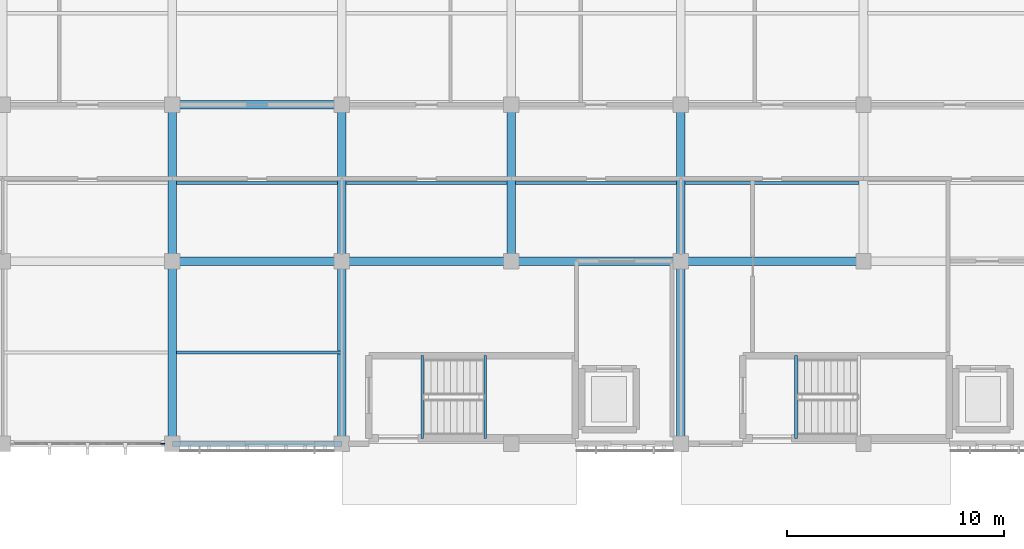
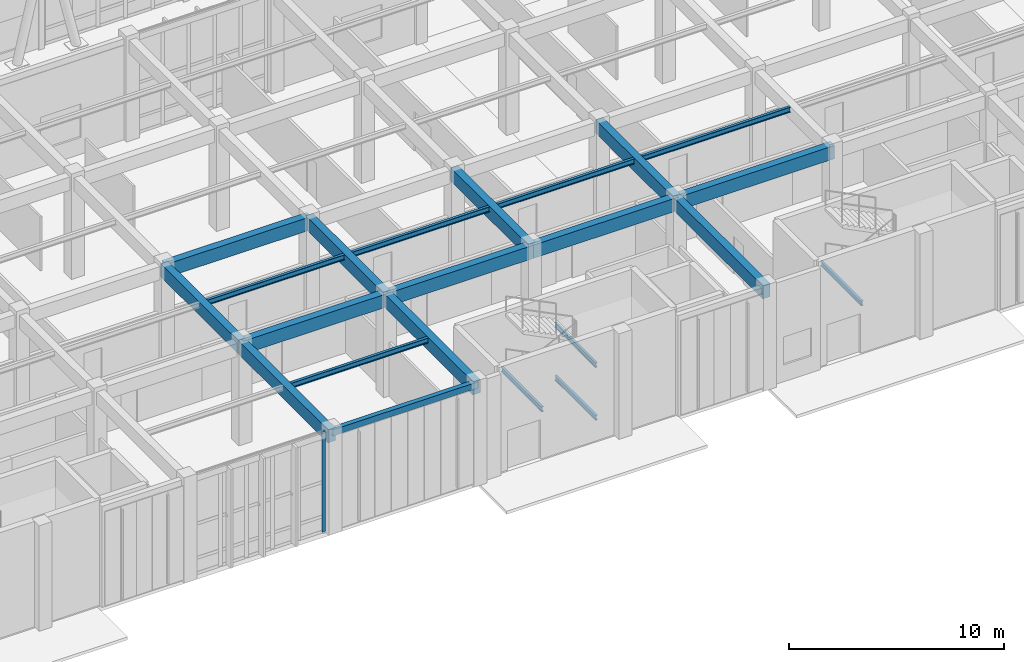
# One storey, part 17 of 110: 22 beams, 1 member, 1 element without a shape of its own.
"""IFC4 building model written with IfcOpenShell, lengths in metres."""

import ifcopenshell
import ifcopenshell.guid

model = None  # the IFC model being written
_history = None  # IfcOwnerHistory: only IFC2X3 demands one
_inside = {}  # id of a spatial element -> (the spatial element, [elements in it])
_under = {}  # id of a project, library or spatial element -> (it, [spatial elements below it])
_declared = {}  # id of a project -> (the project, [libraries it declares])
_typed = {}  # id of a type object -> (the type object, [elements of that type])
_made_of = {}  # id of a material, layer set ... -> (it, [elements and type objects made of it])


def new_model(schema):
    """Start an empty IFC model of exactly this schema.

    Asked for "IFC4X3", IfcOpenShell would pick the latest addendum, in which some entities
    have other attributes; the version numbers below select the first issue.
    IFC2X3 requires an IfcOwnerHistory on every rooted entity: one is made here for all.
    """
    global model, _history
    if schema == "IFC4X3":
        model = ifcopenshell.file(schema_version=(4, 3, 0, 0))
    else:
        model = ifcopenshell.file(schema=schema)
    _inside.clear()
    _under.clear()
    _declared.clear()
    _typed.clear()
    _made_of.clear()
    _history = None
    if model.schema == "IFC2X3":
        org = make("IfcOrganization", Name="unknown")
        user = make(
            "IfcPersonAndOrganization",
            ThePerson=make("IfcPerson", FamilyName="unknown"),
            TheOrganization=org,
        )
        app = make(
            "IfcApplication",
            ApplicationDeveloper=org,
            Version="unknown",
            ApplicationFullName="unknown",
            ApplicationIdentifier="unknown",
        )
        _history = make(
            "IfcOwnerHistory",
            OwningUser=user,
            OwningApplication=app,
            ChangeAction="ADDED",
            CreationDate=0,
        )
    return model


def make(cls, **values):
    """One entity of the class cls with the attributes given. An attribute that is None is left unset."""
    return model.create_entity(
        cls, **{name: value for name, value in values.items() if value is not None}
    )


def rooted(cls, **values):
    """An entity with a GlobalId (a new one), such as an element, a storey or a relation."""
    return make(cls, GlobalId=ifcopenshell.guid.new(), OwnerHistory=_history, **values)


def si_unit(unit_type, name, prefix=None):
    """IfcSIUnit, for example si_unit("LENGTHUNIT", "METRE", prefix="MILLI")."""
    return make("IfcSIUnit", UnitType=unit_type, Prefix=prefix, Name=name)


def assignment(units):
    """IfcUnitAssignment: the units of a project."""
    return None if units is None else make("IfcUnitAssignment", Units=units)


def point(xyz):
    """IfcCartesianPoint."""
    return None if xyz is None else make("IfcCartesianPoint", Coordinates=xyz)


def direction(xyz):
    """IfcDirection."""
    return None if xyz is None else make("IfcDirection", DirectionRatios=xyz)


def frame(location, z_axis=None, x_axis=None):
    """IfcAxis2Placement3D, a coordinate frame: its origin and axes. An axis left out is left unset."""
    return make(
        "IfcAxis2Placement3D",
        Location=point(location),
        Axis=direction(z_axis),
        RefDirection=direction(x_axis),
    )


def frame_2d(location, x_axis=None):
    """IfcAxis2Placement2D, a coordinate frame in the plane: its origin and x axis."""
    return make(
        "IfcAxis2Placement2D", Location=point(location), RefDirection=direction(x_axis)
    )


def origin():
    """The frame at (0, 0, 0) with its axes left unset."""
    return frame((0.0, 0.0, 0.0))


def origin_2d():
    """The frame at (0, 0) in the plane with its x axis left unset."""
    return frame_2d((0.0, 0.0))


def place(relative_to, where):
    """IfcLocalPlacement: puts the frame where relative to a parent placement (None: the world)."""
    return make(
        "IfcLocalPlacement", PlacementRelTo=relative_to, RelativePlacement=where
    )


def context(
    kind, dimensions, precision=None, world=None, true_north=None, identifier=None
):
    """IfcGeometricRepresentationContext, for example the 3D "Model" context."""
    return make(
        "IfcGeometricRepresentationContext",
        ContextIdentifier=identifier,
        ContextType=kind,
        CoordinateSpaceDimension=dimensions,
        Precision=precision,
        WorldCoordinateSystem=world,
        TrueNorth=true_north,
    )


def subcontext(parent, identifier, kind, view, scale=None):
    """IfcGeometricRepresentationSubContext, for example "Body" below "Model"."""
    return make(
        "IfcGeometricRepresentationSubContext",
        ContextIdentifier=identifier,
        ContextType=kind,
        ParentContext=parent,
        TargetScale=scale,
        TargetView=view,
    )


def project(units=None, contexts=None):
    """IfcProject with its units and contexts."""
    return rooted(
        "IfcProject",
        Name="project",
        RepresentationContexts=contexts,
        UnitsInContext=assignment(units),
    )


def spatial(cls, under=None, at=None, **own):
    """A site, building, storey or space (cls), placed at a placement, below another one or the project."""
    s = rooted(cls, ObjectPlacement=at, **own)
    if under is not None:
        _under.setdefault(under.id(), (under, []))[1].append(s)
    return s


def profile(cls, at=None, kind="AREA", **sizes):
    """A parametric profile (cls). Its sizes go by their IFC names, for example OverallWidth=200.0."""
    return make(cls, ProfileType=kind, Position=at, **sizes)


def rectangle(**sizes):
    """IfcRectangleProfileDef."""
    return profile("IfcRectangleProfileDef", **sizes)


def hollow_rectangle(**sizes):
    """IfcRectangleHollowProfileDef."""
    return profile("IfcRectangleHollowProfileDef", **sizes)


def i_section(**sizes):
    """IfcIShapeProfileDef."""
    return profile("IfcIShapeProfileDef", **sizes)


def extrude(swept, where, along, depth):
    """IfcExtrudedAreaSolid: the profile swept, set in the frame where, extruded along a direction by depth."""
    return make(
        "IfcExtrudedAreaSolid",
        SweptArea=swept,
        Position=where,
        ExtrudedDirection=direction(along),
        Depth=depth,
    )


def shape(context_of_items, identifier, shape_type, items):
    """IfcShapeRepresentation: the items that make up one representation, for example the "Body"."""
    return make(
        "IfcShapeRepresentation",
        ContextOfItems=context_of_items,
        RepresentationIdentifier=identifier,
        RepresentationType=shape_type,
        Items=items,
    )


def material(Name=None, Category=None):
    """IfcMaterial."""
    return make("IfcMaterial", Name=Name, Category=Category)


def material_profile(
    of_material, cross_section, Name=None, Category=None, Priority=None
):
    """IfcMaterialProfile: a cross section and its material."""
    return make(
        "IfcMaterialProfile",
        Name=Name,
        Material=of_material,
        Profile=cross_section,
        Priority=Priority,
        Category=Category,
    )


def profile_set(profiles, Name=None, composite=None):
    """IfcMaterialProfileSet."""
    return make(
        "IfcMaterialProfileSet",
        Name=Name,
        MaterialProfiles=profiles,
        CompositeProfile=composite,
    )


def made_of(thing, what):
    """Note that an element or type object is made of a material, layer set ...; save() writes the relation."""
    if what is not None:
        _made_of.setdefault(what.id(), (what, []))[1].append(thing)
    return thing


def type_object(cls, material=None, **own):
    """A type object (cls), such as IfcWallType, which elements share."""
    return made_of(rooted(cls, **own), material)


def element(
    cls,
    number,
    at=None,
    inside=None,
    cuts=None,
    type_object=None,
    material=None,
    context=None,
    identifier="Body",
    shape_type=None,
    held_by="IfcProductDefinitionShape",
    body=None,
    shapes=None,
    **own,
):
    """One element of the class cls, such as IfcWall. Its Tag is "e" and its number.

    at: its placement. inside: the storey or other place that contains it. cuts: it is an
    opening in that element (IfcRelVoidsElement). A single representation is given by context,
    identifier, shape_type and body (its items); several are given by shapes. held_by: the class
    of the entity that holds the representations. save() writes the other relations.
    """
    e = rooted(cls, Tag="e%d" % number, ObjectPlacement=at, **own)
    if body is not None:
        shapes = [shape(context, identifier, shape_type, body)]
    if shapes is not None:
        e.Representation = make(held_by, Representations=shapes)
    if inside is not None:
        _inside.setdefault(inside.id(), (inside, []))[1].append(e)
    if cuts is not None:
        rooted(
            "IfcRelVoidsElement", RelatingBuildingElement=cuts, RelatedOpeningElement=e
        )
    if type_object is not None:
        _typed.setdefault(type_object.id(), (type_object, []))[1].append(e)
    return made_of(e, material)


def aggregate(whole, parts):
    """IfcRelAggregates: a whole, such as a stair, and the parts it consists of."""
    return rooted("IfcRelAggregates", RelatingObject=whole, RelatedObjects=parts)


def save(model, path):
    """Write the relations noted so far, then the file.

    IfcRelAggregates (storeys below a building ...), IfcRelContainedInSpatialStructure (elements
    in a storey), IfcRelDefinesByType, IfcRelAssociatesMaterial and IfcRelDeclares: one each for
    every whole, place, type object, material and project.
    """
    for whole, parts in _under.values():
        aggregate(whole, parts)
    for where, things in _inside.values():
        rooted(
            "IfcRelContainedInSpatialStructure",
            RelatedElements=things,
            RelatingStructure=where,
        )
    for kind, things in _typed.values():
        rooted("IfcRelDefinesByType", RelatedObjects=things, RelatingType=kind)
    for what, things in _made_of.values():
        rooted("IfcRelAssociatesMaterial", RelatedObjects=things, RelatingMaterial=what)
    for by, libraries in _declared.values():
        rooted("IfcRelDeclares", RelatingContext=by, RelatedDefinitions=libraries)
    model.write(path)


model = new_model("IFC4")

# Units and contexts
model_context = context("Model", 3, precision=1e-05, world=origin(), true_north=direction((0.0, 1.0)))
body_context = subcontext(model_context, "Body", "Model", "MODEL_VIEW")
ifc_project = project(units=[si_unit("LENGTHUNIT", "METRE"), si_unit("AREAUNIT", "SQUARE_METRE"), si_unit("VOLUMEUNIT", "CUBIC_METRE"), si_unit("PLANEANGLEUNIT", "RADIAN"), si_unit("MASSUNIT", "GRAM", prefix="KILO")], contexts=[model_context])

# Site, building, storey
site_placement = place(None, origin())
site = spatial("IfcSite", under=ifc_project, at=site_placement, CompositionType="ELEMENT")
building_placement = place(site_placement, origin())
building = spatial("IfcBuilding", under=site, at=building_placement, Name="Tizgana Railside Sports Hall", CompositionType="ELEMENT")
storey_placement = place(building_placement, origin())
storey = spatial("IfcBuildingStorey", under=building, at=storey_placement, Name="L00", CompositionType="ELEMENT", Elevation=0.0)

# Beams
ifc_material_1 = material(Name="Concrete C35/45", Category="concrete")
ifc_material_profile_1 = material_profile(ifc_material_1, rectangle(XDim=0.39990234375, YDim=0.75, at=origin_2d()), Name="RCB 400x750")
ifc_profile_set_1 = profile_set([ifc_material_profile_1], Name="Concrete C35/45")
beam_type_1 = type_object("IfcBeamType", Name="Concrete Beam RCB 400x750", PredefinedType="BEAM", material=ifc_profile_set_1)
beam_1_placement = place(storey_placement, frame((31.199951171875, 0.0, 5.37109375), z_axis=(0.0, 1.0, 0.0), x_axis=(-1.0, 0.0, 0.0)))
element("IfcBeam", 1, at=beam_1_placement, inside=storey, type_object=beam_type_1, Name="L00 BEM-0344", PredefinedType="BEAM", context=body_context, shape_type="SweptSolid", body=[
    extrude(rectangle(XDim=0.39990234375, YDim=0.75, at=origin_2d()), origin(), (0.0, 0.0, 1.0), 8.39990234375),
])
beam_2_placement = place(storey_placement, frame((31.199951171875, 8.39990234375, 5.37109375), z_axis=(0.0, 1.0, 0.0), x_axis=(-1.0, 0.0, 0.0)))
element("IfcBeam", 2, at=beam_2_placement, inside=storey, type_object=beam_type_1, Name="L00 BEM-0345", PredefinedType="BEAM", context=body_context, shape_type="SweptSolid", body=[
    extrude(rectangle(XDim=0.39990234375, YDim=0.75, at=origin_2d()), origin(), (0.0, 0.0, 1.0), 7.2001953125),
])
beam_3_placement = place(storey_placement, frame((39.0, 0.0, 5.37109375), z_axis=(0.0, 1.0, 0.0), x_axis=(-1.0, 0.0, 0.0)))
element("IfcBeam", 3, at=beam_3_placement, inside=storey, type_object=beam_type_1, Name="L00 BEM-0348", PredefinedType="BEAM", context=body_context, shape_type="SweptSolid", body=[
    extrude(rectangle(XDim=0.39990234375, YDim=0.75, at=origin_2d()), origin(), (0.0, 0.0, 1.0), 8.39990234375),
])
for number, where, z_axis, x_axis, name in (
    (4, (39.0, 8.39990234375, 5.37109375), (0.0, 1.0, 0.0), (-1.0, 0.0, 0.0), "L00 BEM-0349"),
    (5, (46.800048828125, 8.39990234375, 5.37109375), (0.0, 1.0, 0.0), (-1.0, 0.0, 0.0), "L00 BEM-0352"),
):
    element("IfcBeam", number, at=place(storey_placement, frame(where, z_axis=z_axis, x_axis=x_axis)), inside=storey, type_object=beam_type_1, Name=name, PredefinedType="BEAM", context=body_context, shape_type="SweptSolid", body=[
        extrude(rectangle(XDim=0.39990234375, YDim=0.75, at=origin_2d()), origin(), (0.0, 0.0, 1.0), 7.2001953125),
    ])
beam_4_placement = place(storey_placement, frame((54.60009765625, 0.0, 5.37109375), z_axis=(0.0, 1.0, 0.0), x_axis=(-1.0, 0.0, 0.0)))
element("IfcBeam", 6, at=beam_4_placement, inside=storey, type_object=beam_type_1, Name="L00 BEM-0355", PredefinedType="BEAM", context=body_context, shape_type="SweptSolid", body=[
    extrude(rectangle(XDim=0.39990234375, YDim=0.75, at=origin_2d()), origin(), (0.0, 0.0, 1.0), 8.39990234375),
])
beam_5_placement = place(storey_placement, frame((54.60009765625, 8.39990234375, 5.37109375), z_axis=(0.0, 1.0, 0.0), x_axis=(-1.0, 0.0, 0.0)))
element("IfcBeam", 7, at=beam_5_placement, inside=storey, type_object=beam_type_1, Name="L00 BEM-0356", PredefinedType="BEAM", context=body_context, shape_type="SweptSolid", body=[
    extrude(rectangle(XDim=0.39990234375, YDim=0.75, at=origin_2d()), origin(), (0.0, 0.0, 1.0), 7.2001953125),
])
for number, where, z_axis, x_axis, name in (
    (8, (31.199951171875, 8.39990234375, 5.37109375), (1.0, 0.0, 0.0), (0.0, 1.0, 0.0), "L00 BEM-0402"),
    (9, (31.199951171875, 15.60009765625, 5.37109375), (1.0, 0.0, 0.0), (0.0, 1.0, 0.0), "L00 BEM-0403"),
    (10, (39.0, 8.39990234375, 5.37109375), (1.0, 0.0, 0.0), (0.0, 1.0, 0.0), "L00 BEM-0410"),
    (11, (46.800048828125, 8.39990234375, 5.37109375), (1.0, 0.0, 0.0), (0.0, 1.0, 0.0), "L00 BEM-0417"),
):
    element("IfcBeam", number, at=place(storey_placement, frame(where, z_axis=z_axis, x_axis=x_axis)), inside=storey, type_object=beam_type_1, Name=name, PredefinedType="BEAM", context=body_context, shape_type="SweptSolid", body=[
        extrude(rectangle(XDim=0.39990234375, YDim=0.75, at=origin_2d()), origin(), (0.0, 0.0, 1.0), 7.800048828125),
    ])
beam_6_placement = place(storey_placement, frame((54.60009765625, 8.39990234375, 5.37109375), z_axis=(1.0, 0.0, 0.0), x_axis=(0.0, 1.0, 0.0)))
element("IfcBeam", 12, at=beam_6_placement, inside=storey, type_object=beam_type_1, Name="L00 BEM-0424", PredefinedType="BEAM", context=body_context, shape_type="SweptSolid", body=[
    extrude(rectangle(XDim=0.39990234375, YDim=0.75, at=origin_2d()), origin(), (0.0, 0.0, 1.0), 8.39990234375),
])

# Curtain wall, member
ifc_material_2 = material(Name="Anodised aluminium and glass", Category="aluminium")
curtain_wall_type = type_object("IfcCurtainWallType", Name="Unitised Curtain Wall Climbing 1600", PredefinedType="NOTDEFINED", material=ifc_material_2)
curtain_wall_placement = place(storey_placement, origin())
curtain_wall = element("IfcCurtainWall", 13, at=curtain_wall_placement, inside=storey, type_object=curtain_wall_type, Name="L00 Curtain Wall CW-0075", PredefinedType="NOTDEFINED")
ifc_material_3 = material(Name="Anodised aluminium", Category="aluminium")
ifc_material_profile_2 = material_profile(ifc_material_3, rectangle(XDim=0.06494140625, YDim=0.199951171875, at=origin_2d()), Name="Mullion 65x200")
ifc_profile_set_2 = profile_set([ifc_material_profile_2], Name="Anodised aluminium")
member_type = type_object("IfcMemberType", Name="Mullion 65x200", PredefinedType="MULLION", material=ifc_profile_set_2)
member_placement = place(storey_placement, frame((30.762451171875, 0.0, 0.044921875), z_axis=(0.0, 0.0, 1.0), x_axis=(0.0, -1.0, 0.0)))
member = element("IfcMember", 14, at=member_placement, type_object=member_type, Name="CW-04 mullion 1", PredefinedType="MULLION", context=body_context, shape_type="SweptSolid", body=[
    extrude(rectangle(XDim=0.06494140625, YDim=0.199951171875, at=origin_2d()), origin(), (0.0, 0.0, 1.0), 5.705078125),
])
aggregate(curtain_wall, [member])

# Beams
ifc_material_4 = material(Name="Steel S355J2", Category="steel")
ifc_material_profile_3 = material_profile(ifc_material_4, i_section(OverallWidth=0.1298828125, OverallDepth=0.27001953125, WebThickness=0.006591796875, FlangeThickness=0.01025390625, FilletRadius=0.014892578125, at=origin_2d()), Name="IPE 270")
ifc_profile_set_3 = profile_set([ifc_material_profile_3], Name="Steel S355J2")
beam_type_2 = type_object("IfcBeamType", Name="Stair Mid-Landing Header IPE 270", PredefinedType="JOIST", material=ifc_profile_set_3)
for number, where, z_axis, x_axis, name in (
    (15, (45.60009765625, 0.25, 1.1630859375), (0.0, 1.0, 0.0), (-1.0, 0.0, 0.0), "L00 C2 Mid Header 1"),
    (16, (42.699951171875, 0.25, 2.6630859375), (0.0, 1.0, 0.0), (-1.0, 0.0, 0.0), "L00 C2 Mid Header 2"),
    (17, (45.60009765625, 0.25, 4.1630859375), (0.0, 1.0, 0.0), (-1.0, 0.0, 0.0), "L00 C2 Mid Header 3"),
    (18, (59.89990234375, 0.25, 2.6630859375), (0.0, 1.0, 0.0), (-1.0, 0.0, 0.0), "L00 C3 Mid Header 2"),
):
    element("IfcBeam", number, at=place(storey_placement, frame(where, z_axis=z_axis, x_axis=x_axis)), inside=storey, type_object=beam_type_2, Name=name, PredefinedType="JOIST", context=body_context, shape_type="SweptSolid", body=[
        extrude(i_section(OverallWidth=0.1298828125, OverallDepth=0.27001953125, WebThickness=0.006591796875, FlangeThickness=0.01025390625, FilletRadius=0.014892578125, at=origin_2d()), origin(), (0.0, 0.0, 1.0), 3.800048828125),
    ])
ifc_material_profile_4 = material_profile(ifc_material_4, i_section(OverallWidth=0.14990234375, OverallDepth=0.300048828125, WebThickness=0.007080078125, FlangeThickness=0.0107421875, FilletRadius=0.014892578125, at=origin_2d()), Name="IPE 300")
ifc_profile_set_4 = profile_set([ifc_material_profile_4], Name="Steel S355J2")
beam_type_3 = type_object("IfcBeamType", Name="Steel Joist IPE 300", PredefinedType="JOIST", material=ifc_profile_set_4)
beam_7_placement = place(storey_placement, frame((31.39501953125, 4.199951171875, 5.595947265625), z_axis=(1.0, 0.0, 0.0), x_axis=(0.0, 1.0, 0.0)))
element("IfcBeam", 19, at=beam_7_placement, inside=storey, type_object=beam_type_3, Name="L00 BEM-0406", PredefinedType="JOIST", context=body_context, shape_type="SweptSolid", body=[
    extrude(i_section(OverallWidth=0.14990234375, OverallDepth=0.300048828125, WebThickness=0.007080078125, FlangeThickness=0.0107421875, FilletRadius=0.014892578125, at=origin_2d()), origin(), (0.0, 0.0, 1.0), 7.60498046875),
])
for number, where, z_axis, x_axis, name in (
    (20, (31.39501953125, 12.0, 5.595947265625), (1.0, 0.0, 0.0), (0.0, 1.0, 0.0), "L00 BEM-0407"),
    (21, (39.195068359375, 12.0, 5.595947265625), (1.0, 0.0, 0.0), (0.0, 1.0, 0.0), "L00 BEM-0414"),
    (22, (46.9951171875, 12.0, 5.595947265625), (1.0, 0.0, 0.0), (0.0, 1.0, 0.0), "L00 BEM-0421"),
):
    element("IfcBeam", number, at=place(storey_placement, frame(where, z_axis=z_axis, x_axis=x_axis)), inside=storey, type_object=beam_type_3, Name=name, PredefinedType="JOIST", context=body_context, shape_type="SweptSolid", body=[
        extrude(i_section(OverallWidth=0.14990234375, OverallDepth=0.300048828125, WebThickness=0.007080078125, FlangeThickness=0.0107421875, FilletRadius=0.014892578125, at=origin_2d()), origin(), (0.0, 0.0, 1.0), 7.409912109375),
    ])
beam_8_placement = place(storey_placement, frame((54.794921875, 12.0, 5.595947265625), z_axis=(1.0, 0.0, 0.0), x_axis=(0.0, 1.0, 0.0)))
element("IfcBeam", 23, at=beam_8_placement, inside=storey, type_object=beam_type_3, Name="L00 BEM-0428", PredefinedType="JOIST", context=body_context, shape_type="SweptSolid", body=[
    extrude(i_section(OverallWidth=0.14990234375, OverallDepth=0.300048828125, WebThickness=0.007080078125, FlangeThickness=0.0107421875, FilletRadius=0.014892578125, at=origin_2d()), origin(), (0.0, 0.0, 1.0), 8.010009765625),
])
ifc_material_profile_5 = material_profile(ifc_material_4, hollow_rectangle(XDim=0.25, YDim=0.35009765625, WallThickness=0.011962890625, at=origin_2d()), Name="RHS 350x250x12")
ifc_profile_set_5 = profile_set([ifc_material_profile_5], Name="Steel S355J2")
beam_type_4 = type_object("IfcBeamType", Name="Steel Spandrel RHS 350x250x12", PredefinedType="SPANDREL", material=ifc_profile_set_5)
beam_9_placement = place(storey_placement, frame((31.199951171875, 0.0, 5.571044921875), z_axis=(1.0, 0.0, 0.0), x_axis=(0.0, 1.0, 0.0)))
element("IfcBeam", 24, at=beam_9_placement, inside=storey, type_object=beam_type_4, Name="L00 BEM-0401", PredefinedType="SPANDREL", context=body_context, shape_type="SweptSolid", body=[
    extrude(hollow_rectangle(XDim=0.25, YDim=0.35009765625, WallThickness=0.011962890625, at=origin_2d()), origin(), (0.0, 0.0, 1.0), 7.800048828125),
])

save(model, "model.ifc")
